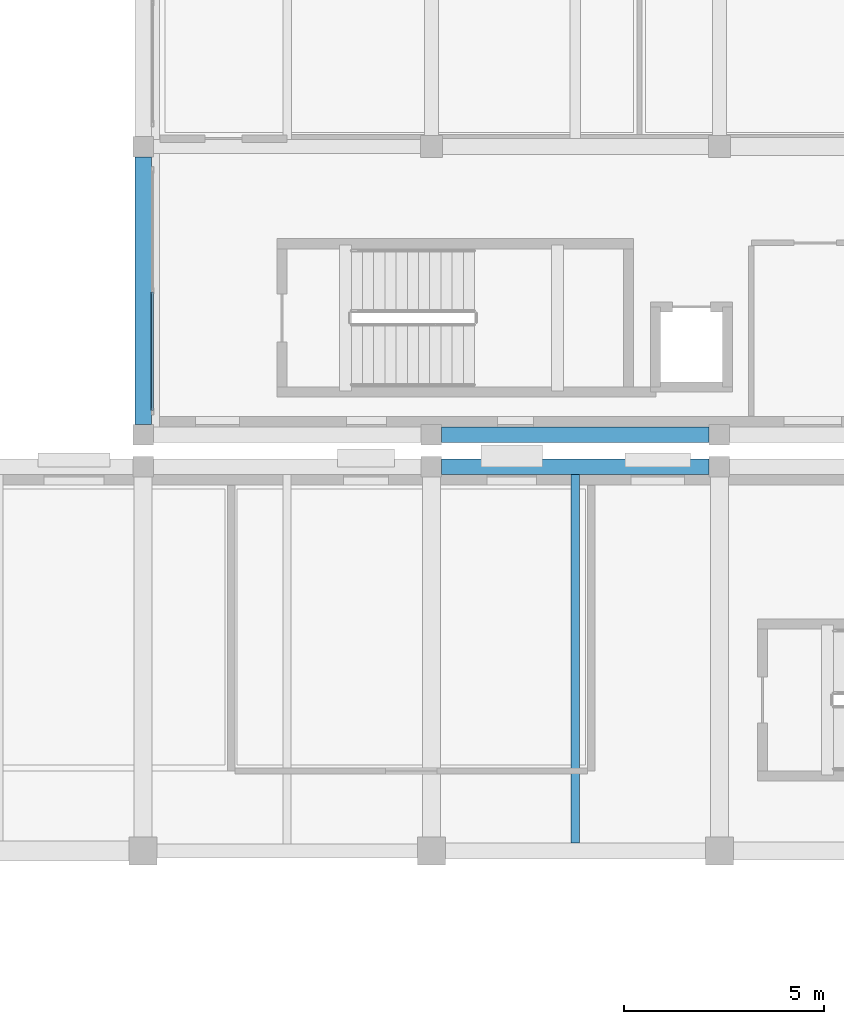
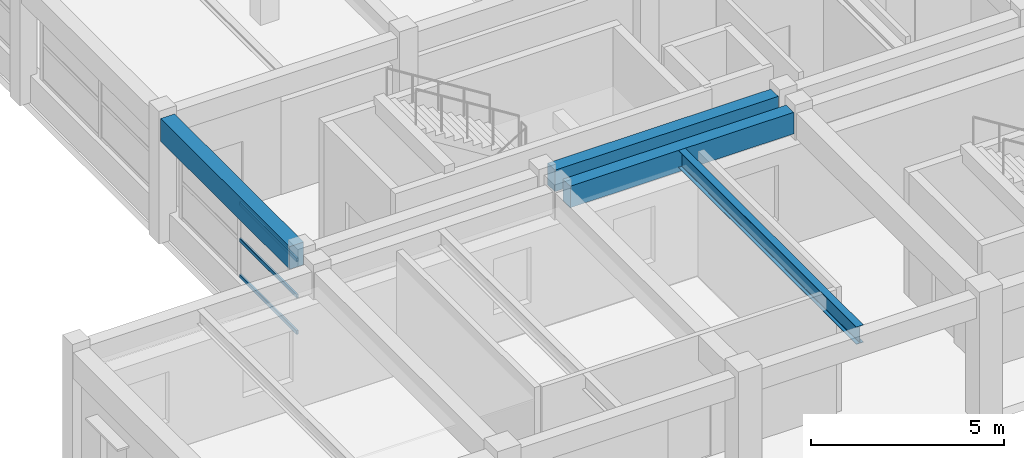
# One storey, part 33 of 67: 4 beams, 3 members, 1 element without a shape of its own.
"""IFC4 building model written with IfcOpenShell, lengths in metres."""

from ifc_helpers import new_model, si_unit, direction, frame, origin, origin_2d, place, context, subcontext, project, spatial, rectangle, hollow_rectangle, i_section, extrude, material, material_profile, profile_set, type_object, element, aggregate, save


model = new_model("IFC4")

# Units and contexts
model_context = context("Model", 3, precision=1e-05, world=origin(), true_north=direction((0.0, 1.0)))
body_context = subcontext(model_context, "Body", "Model", "MODEL_VIEW")
ifc_project = project(units=[si_unit("LENGTHUNIT", "METRE"), si_unit("AREAUNIT", "SQUARE_METRE"), si_unit("VOLUMEUNIT", "CUBIC_METRE"), si_unit("PLANEANGLEUNIT", "RADIAN"), si_unit("MASSUNIT", "GRAM", prefix="KILO")], contexts=[model_context])

# Site, building, storey
site_placement = place(None, origin())
site = spatial("IfcSite", under=ifc_project, at=site_placement, CompositionType="ELEMENT")
building_placement = place(site_placement, origin())
building = spatial("IfcBuilding", under=site, at=building_placement, Name="Bramveld Media Centre", CompositionType="ELEMENT")
storey_placement = place(building_placement, frame((0.0, 0.0, 5.39990234375)))
storey = spatial("IfcBuildingStorey", under=building, at=storey_placement, Name="L01", CompositionType="ELEMENT", Elevation=5.39990234375)

# Curtain wall, members
ifc_material_1 = material(Name="Thermally broken anodized bronze aluminium unitized curtain wall with solar-control triple glazing", Category="aluminium")
curtain_wall_type = type_object("IfcCurtainWallType", Name="CW-FACV4-6100x2350", PredefinedType="NOTDEFINED", material=ifc_material_1)
curtain_wall_placement = place(storey_placement, origin())
curtain_wall = element("IfcCurtainWall", 1, at=curtain_wall_placement, inside=storey, type_object=curtain_wall_type, Name="V4 L01 W curtain wall bay 1", PredefinedType="NOTDEFINED")
ifc_material_2 = material(Name="Thermally broken anodized bronze aluminium EN AW-6063 T6 curtain-wall framing", Category="aluminium")
ifc_material_profile_1 = material_profile(ifc_material_2, hollow_rectangle(XDim=0.06005859375, YDim=0.1201171875, WallThickness=0.00341796875, InnerFilletRadius=0.00341796875, OuterFilletRadius=0.007080078125, at=origin_2d()), Name="AL-TRAN 60x120")
ifc_profile_set_1 = profile_set([ifc_material_profile_1], Name="Thermally broken anodized bronze aluminium EN AW-6063 T6 curtain-wall framing")
member_type = type_object("IfcMemberType", Name="CW-TRAN-EXT", PredefinedType="USERDEFINED", material=ifc_profile_set_1)
member_1_placement = place(storey_placement, frame((131.429931640625, 39.81005859375, 0.880126953125), z_axis=(0.0, 1.0, 0.0), x_axis=(-1.0, 0.0, 0.0)))
member_1 = element("IfcMember", 2, at=member_1_placement, type_object=member_type, Name="CW-FA-6123 transom 1.1", ObjectType="TRANSOM", PredefinedType="USERDEFINED", context=body_context, shape_type="SweptSolid", body=[
    extrude(hollow_rectangle(XDim=0.06005859375, YDim=0.1201171875, WallThickness=0.00341796875, InnerFilletRadius=0.00341796875, OuterFilletRadius=0.007080078125, at=origin_2d()), origin(), (0.0, 0.0, 1.0), 2.9599609375),
])
member_2_placement = place(storey_placement, frame((131.429931640625, 39.81005859375, 2.025146484375), z_axis=(0.0, 1.0, 0.0), x_axis=(-1.0, 0.0, 0.0)))
member_2 = element("IfcMember", 3, at=member_2_placement, type_object=member_type, Name="CW-FA-6123 transom 1.2", ObjectType="TRANSOM", PredefinedType="USERDEFINED", context=body_context, shape_type="SweptSolid", body=[
    extrude(hollow_rectangle(XDim=0.06005859375, YDim=0.1201171875, WallThickness=0.00341796875, InnerFilletRadius=0.00341796875, OuterFilletRadius=0.007080078125, at=origin_2d()), origin(), (0.0, 0.0, 1.0), 2.9599609375),
])
member_3_placement = place(storey_placement, frame((131.429931640625, 39.81005859375, 3.170166015625), z_axis=(0.0, 1.0, 0.0), x_axis=(-1.0, 0.0, 0.0)))
member_3 = element("IfcMember", 4, at=member_3_placement, type_object=member_type, Name="CW-FA-6123 transom 1.3", ObjectType="TRANSOM", PredefinedType="USERDEFINED", context=body_context, shape_type="SweptSolid", body=[
    extrude(hollow_rectangle(XDim=0.06005859375, YDim=0.1201171875, WallThickness=0.00341796875, InnerFilletRadius=0.00341796875, OuterFilletRadius=0.007080078125, at=origin_2d()), origin(), (0.0, 0.0, 1.0), 2.9599609375),
])
aggregate(curtain_wall, [member_1, member_2, member_3])

# Beams
ifc_material_3 = material(Name="Steel S355J2", Category="steel")
ifc_material_profile_2 = material_profile(ifc_material_3, i_section(OverallWidth=0.2099609375, OverallDepth=0.550048828125, WebThickness=0.010986328125, FlangeThickness=0.01708984375, FilletRadius=0.02392578125, at=origin_2d()), Name="IPE 550")
ifc_profile_set_2 = profile_set([ifc_material_profile_2], Name="Steel S355J2")
beam_type_1 = type_object("IfcBeamType", Name="SBM-INT-IPE-550", PredefinedType="BEAM", material=ifc_profile_set_2)
beam_1_placement = place(storey_placement, frame((142.0, 29.0, 3.6650390625), z_axis=(0.0, 1.0, 0.0), x_axis=(-1.0, 0.0, 0.0)))
element("IfcBeam", 5, at=beam_1_placement, inside=storey, type_object=beam_type_1, Name="V1 L01 secondary floor joist 82", PredefinedType="BEAM", context=body_context, shape_type="SweptSolid", body=[
    extrude(i_section(OverallWidth=0.2099609375, OverallDepth=0.550048828125, WebThickness=0.010986328125, FlangeThickness=0.01708984375, FilletRadius=0.02392578125, at=origin_2d()), origin(), (0.0, 0.0, 1.0), 9.2099609375),
])
ifc_material_4 = material(Name="Concrete C40/50", Category="concrete")
ifc_material_profile_3 = material_profile(ifc_material_4, rectangle(XDim=0.3798828125, YDim=0.679931640625, at=origin_2d()), Name="RC 380x680")
ifc_profile_set_3 = profile_set([ifc_material_profile_3], Name="Concrete C40/50")
beam_type_2 = type_object("IfcBeamType", Name="SPANDREL-EXT-RC-380x680", PredefinedType="SPANDREL", material=ifc_profile_set_3)
for number, where, z_axis, x_axis, name in (
    (6, (138.659912109375, 38.39990234375, 3.60009765625), (1.0, 0.0, 0.0), (0.0, 1.0, 0.0), "V1 L01 girder X-54"),
    (7, (138.659912109375, 39.199951171875, 3.6201171875), (1.0, 0.0, 0.0), (0.0, 1.0, 0.0), "V4 L01 girder X-518"),
):
    element("IfcBeam", number, at=place(storey_placement, frame(where, z_axis=z_axis, x_axis=x_axis)), inside=storey, type_object=beam_type_2, Name=name, PredefinedType="SPANDREL", context=body_context, shape_type="SweptSolid", body=[
        extrude(rectangle(XDim=0.3798828125, YDim=0.679931640625, at=origin_2d()), origin(), (0.0, 0.0, 1.0), 6.68017578125),
    ])
ifc_material_5 = material(Name="Concrete C40/50", Category="concrete")
ifc_material_profile_4 = material_profile(ifc_material_5, rectangle(XDim=0.419921875, YDim=0.719970703125, at=origin_2d()), Name="RC 420x720")
ifc_profile_set_4 = profile_set([ifc_material_profile_4], Name="Concrete C40/50")
beam_type_3 = type_object("IfcBeamType", Name="SPANDREL-EXT-RC-420x720", PredefinedType="SPANDREL", material=ifc_profile_set_4)
beam_2_placement = place(storey_placement, frame((131.199951171875, 39.4599609375, 3.60009765625), z_axis=(0.0, 1.0, 0.0), x_axis=(-1.0, 0.0, 0.0)))
element("IfcBeam", 8, at=beam_2_placement, inside=storey, type_object=beam_type_3, Name="V4 L01 girder Y-537", PredefinedType="SPANDREL", context=body_context, shape_type="SweptSolid", body=[
    extrude(rectangle(XDim=0.419921875, YDim=0.719970703125, at=origin_2d()), origin(), (0.0, 0.0, 1.0), 6.679931640625),
])

save(model, "model.ifc")
